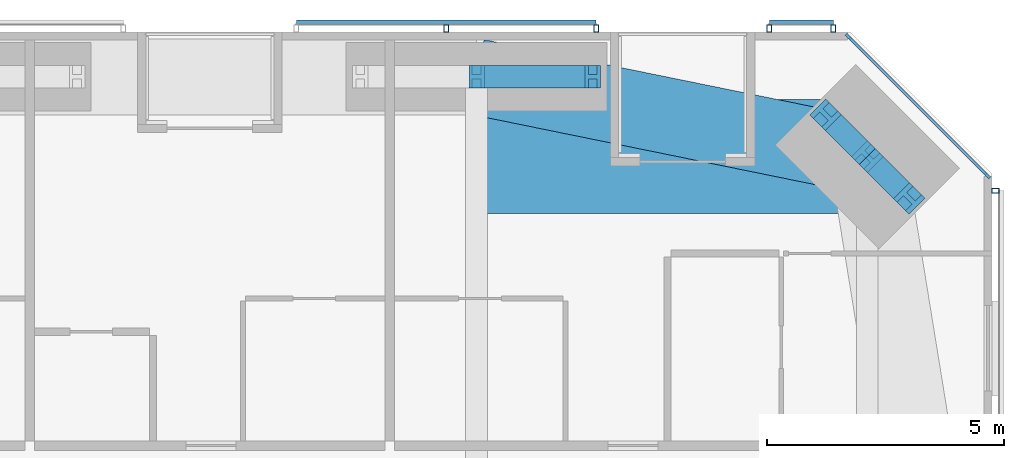
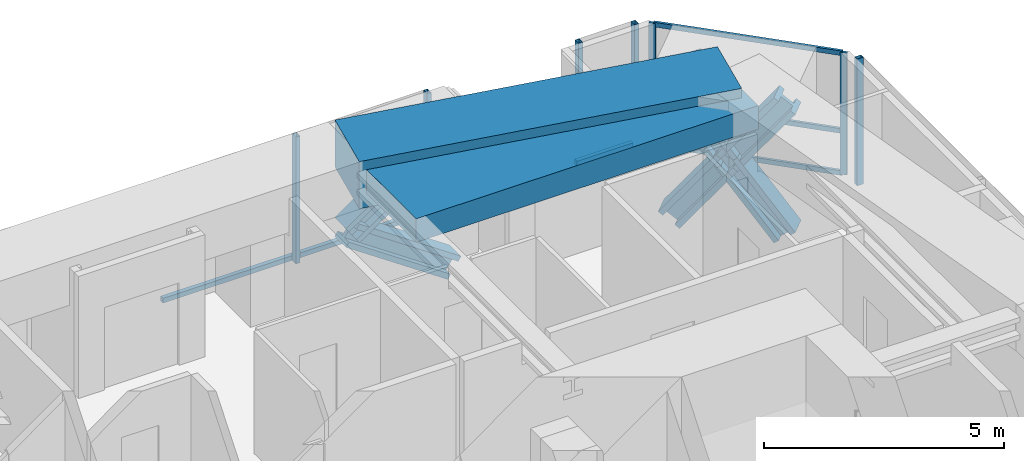
# One storey, part 15 of 25: 18 members, 2 beams, 4 elements without a shape of their own.
"""IFC4 building model written with IfcOpenShell, lengths in metres."""

from ifc_helpers import new_model, si_unit, direction, frame, origin, origin_2d, place, context, subcontext, project, spatial, rectangle, hollow_rectangle, i_section, extrude, material, material_profile, profile_set, type_object, element, aggregate, save


model = new_model("IFC4")

# Units and contexts
model_context = context("Model", 3, precision=1e-05, world=origin(), true_north=direction((0.0, 1.0)))
body_context = subcontext(model_context, "Body", "Model", "MODEL_VIEW")
ifc_project = project(units=[si_unit("LENGTHUNIT", "METRE"), si_unit("AREAUNIT", "SQUARE_METRE"), si_unit("VOLUMEUNIT", "CUBIC_METRE"), si_unit("PLANEANGLEUNIT", "RADIAN"), si_unit("MASSUNIT", "GRAM", prefix="KILO")], contexts=[model_context])

# Site, building, storey
site_placement = place(None, origin())
site = spatial("IfcSite", under=ifc_project, at=site_placement, CompositionType="ELEMENT")
building_placement = place(site_placement, origin())
building = spatial("IfcBuilding", under=site, at=building_placement, Name="Jalousie Tower", CompositionType="ELEMENT")
storey_placement = place(building_placement, frame((0.0, 0.0, 94.800048828125)))
storey = spatial("IfcBuildingStorey", under=building, at=storey_placement, Name="L25", CompositionType="ELEMENT", Elevation=94.800048828125)

# Curtain wall, members
ifc_material_1 = material(Name="Aluminium curtain wall", Category="aluminium")
curtain_wall_type_1 = type_object("IfcCurtainWallType", Name="CORNER WINDOW WALL", PredefinedType="USERDEFINED", material=ifc_material_1)
curtain_wall_1_placement = place(storey_placement, origin())
curtain_wall_1 = element("IfcCurtainWall", 1, at=curtain_wall_1_placement, inside=storey, type_object=curtain_wall_type_1, Name="Corner Window Wall L25 4", ObjectType="CORNER WINDOW WALL", PredefinedType="USERDEFINED")
ifc_material_2 = material(Name="Aluminium mullion", Category="aluminium")
ifc_material_profile_1 = material_profile(ifc_material_2, rectangle(XDim=0.06005859375, YDim=0.14990234375, at=origin_2d()), Name="MULLION 60x150")
ifc_profile_set_1 = profile_set([ifc_material_profile_1], Name="Aluminium mullion")
member_type_1 = type_object("IfcMemberType", Name="CORNER WINDOW WALL MULLION", PredefinedType="MULLION", material=ifc_profile_set_1)
member_1_placement = place(storey_placement, frame((49.391357421875, 34.969970703125, 0.0), z_axis=(0.0, 0.0, 1.0), x_axis=(-0.707106781187, -0.707106781187, 0.0)))
member_1 = element("IfcMember", 2, at=member_1_placement, type_object=member_type_1, Name="CW-C mullion 1", PredefinedType="MULLION", context=body_context, shape_type="SweptSolid", body=[
    extrude(rectangle(XDim=0.06005859375, YDim=0.14990234375, at=origin_2d()), origin(), (0.0, 0.0, 1.0), 3.10986328125),
])
member_2_placement = place(storey_placement, frame((46.469970703125, 37.891357421875, 0.0), z_axis=(0.0, 0.0, 1.0), x_axis=(-0.707106781187, -0.707106781187, 0.0)))
member_2 = element("IfcMember", 3, at=member_2_placement, type_object=member_type_1, Name="CW-C mullion 2", PredefinedType="MULLION", context=body_context, shape_type="SweptSolid", body=[
    extrude(rectangle(XDim=0.06005859375, YDim=0.14990234375, at=origin_2d()), origin(), (0.0, 0.0, 1.0), 3.10986328125),
])
ifc_material_3 = material(Name="Aluminium transom", Category="aluminium")
ifc_material_profile_2 = material_profile(ifc_material_3, rectangle(XDim=0.06005859375, YDim=0.1201171875, at=origin_2d()), Name="TRANSOM 60x120")
ifc_profile_set_2 = profile_set([ifc_material_profile_2], Name="Aluminium transom")
member_type_2 = type_object("IfcMemberType", Name="CORNER WINDOW WALL TRANSOM", PredefinedType="USERDEFINED", material=ifc_profile_set_2)
member_3_placement = place(storey_placement, frame((49.3701171875, 34.9912109375, 0.030029296875), z_axis=(-0.707106781187, 0.707106781187, 0.0), x_axis=(-0.707106781187, -0.707106781187, 0.0)))
member_3 = element("IfcMember", 4, at=member_3_placement, type_object=member_type_2, Name="CW-C transom 1.1", ObjectType="TRANSOM", PredefinedType="USERDEFINED", context=body_context, shape_type="SweptSolid", body=[
    extrude(rectangle(XDim=0.06005859375, YDim=0.1201171875, at=origin_2d()), origin(), (0.0, 0.0, 1.0), 4.0712890625),
])
member_4_placement = place(storey_placement, frame((49.3701171875, 34.9912109375, 1.099853515625), z_axis=(-0.707106781187, 0.707106781187, 0.0), x_axis=(-0.707106781187, -0.707106781187, 0.0)))
member_4 = element("IfcMember", 5, at=member_4_placement, type_object=member_type_2, Name="CW-C transom 1.2", ObjectType="TRANSOM", PredefinedType="USERDEFINED", context=body_context, shape_type="SweptSolid", body=[
    extrude(rectangle(XDim=0.06005859375, YDim=0.1201171875, at=origin_2d()), origin(), (0.0, 0.0, 1.0), 4.0712890625),
])
member_5_placement = place(storey_placement, frame((49.3701171875, 34.9912109375, 3.079833984375), z_axis=(-0.707106781187, 0.707106781187, 0.0), x_axis=(-0.707106781187, -0.707106781187, 0.0)))
member_5 = element("IfcMember", 6, at=member_5_placement, type_object=member_type_2, Name="CW-C transom 1.3", ObjectType="TRANSOM", PredefinedType="USERDEFINED", context=body_context, shape_type="SweptSolid", body=[
    extrude(rectangle(XDim=0.06005859375, YDim=0.1201171875, at=origin_2d()), origin(), (0.0, 0.0, 1.0), 4.0712890625),
])
aggregate(curtain_wall_1, [member_1, member_2, member_3, member_4, member_5])

# Members
ifc_material_4 = material(Name="Steel ASTM A992 Grade 50", Category="steel")
ifc_material_profile_3 = material_profile(ifc_material_4, i_section(OverallWidth=0.472412109375, OverallDepth=0.5791015625, WebThickness=0.094970703125, FlangeThickness=0.1298828125, at=origin_2d()), Name="W14X808")
ifc_profile_set_3 = profile_set([ifc_material_profile_3], Name="Steel ASTM A992 Grade 50")
member_type_3 = type_object("IfcMemberType", Name="PERIMETER BRACE W14X808", PredefinedType="BRACE", material=ifc_profile_set_3)
for number, where, z_axis, x_axis, name in (
    (7, (47.75244140625, 34.484619140625, -0.60009765625), (-0.422851718556, 0.422968528423, 0.801432497518), (-0.707204427637, -0.70700912125, 0.0), "Perimeter brace 08 L25 part 1"),
    (8, (46.86865234375, 35.36865234375, 1.074951171875), (-0.422968528423, 0.422851718556, 0.801432497518), (-0.70700912125, -0.707204427637, 0.0), "Perimeter brace 08 L25 part 2"),
    (9, (45.984619140625, 36.25244140625, -0.60009765625), (0.422968528423, -0.422851718556, 0.801432497518), (0.70700912125, 0.707204427637, 0.0), "Perimeter brace 08 L25 part 3"),
    (10, (46.86865234375, 35.36865234375, 1.074951171875), (0.422851718556, -0.422968528423, 0.801432497518), (0.707204427637, 0.70700912125, 0.0), "Perimeter brace 08 L25 part 4"),
):
    element("IfcMember", number, at=place(storey_placement, frame(where, z_axis=z_axis, x_axis=x_axis)), inside=storey, type_object=member_type_3, Name=name, PredefinedType="BRACE", context=body_context, shape_type="SweptSolid", body=[
        extrude(i_section(OverallWidth=0.472412109375, OverallDepth=0.5791015625, WebThickness=0.094970703125, FlangeThickness=0.1298828125, at=origin_2d()), origin(), (0.0, 0.0, 1.0), 2.090087890625),
    ])
for number, where, z_axis, x_axis, name in (
    (11, (38.625, 37.050048828125, 1.074951171875), (0.825500916831, 0.0, 0.564400776321), (0.0, 1.0, 0.0), "Perimeter brace 09 L25 part 2"),
    (12, (41.074951171875, 37.050048828125, -0.60009765625), (-0.825500916831, 0.0, 0.564400776321), (0.0, -1.0, 0.0), "Perimeter brace 09 L25 part 3"),
):
    element("IfcMember", number, at=place(storey_placement, frame(where, z_axis=z_axis, x_axis=x_axis)), inside=storey, type_object=member_type_3, Name=name, PredefinedType="BRACE", context=body_context, shape_type="SweptSolid", body=[
        extrude(i_section(OverallWidth=0.472412109375, OverallDepth=0.5791015625, WebThickness=0.094970703125, FlangeThickness=0.1298828125, at=origin_2d()), origin(), (0.0, 0.0, 1.0), 2.9677734375),
    ])

# Beams
ifc_material_5 = material(Name="Concrete f'c 40 MPa", Category="concrete")
ifc_material_profile_4 = material_profile(ifc_material_5, rectangle(XDim=1.60009765625, YDim=1.199951171875, at=origin_2d()), Name="RC 1600x1200")
ifc_profile_set_4 = profile_set([ifc_material_profile_4], Name="Concrete f'c 40 MPa")
beam_type_1 = type_object("IfcBeamType", Name="RC BEAM 1600x1200", PredefinedType="BEAM", material=ifc_profile_set_4)
beam_1_placement = place(storey_placement, frame((46.86865234375, 35.36865234375, 2.75), z_axis=(-0.97982690954, 0.199848010602, 0.0), x_axis=(-0.199848010602, -0.97982690954, 0.0)))
element("IfcBeam", 13, at=beam_1_placement, inside=storey, type_object=beam_type_1, Name="Edge band beam 08-09 under L26", PredefinedType="BEAM", context=body_context, shape_type="SweptSolid", body=[
    extrude(rectangle(XDim=1.60009765625, YDim=1.199951171875, at=origin_2d()), origin(), (0.0, 0.0, 1.0), 8.413330078125),
])
ifc_material_6 = material(Name="Concrete f'c 40 MPa", Category="concrete")
ifc_material_profile_5 = material_profile(ifc_material_6, rectangle(XDim=2.39990234375, YDim=0.60009765625, at=origin_2d()), Name="RC 2400x600")
ifc_profile_set_5 = profile_set([ifc_material_profile_5], Name="Concrete f'c 40 MPa")
beam_type_2 = type_object("IfcBeamType", Name="RC BEAM 2400x600", PredefinedType="BEAM", material=ifc_profile_set_5)
beam_2_placement = place(storey_placement, frame((46.86865234375, 35.36865234375, 2.81005859375), z_axis=(-1.0, 0.0, 0.0), x_axis=(0.0, -1.0, 0.0)))
element("IfcBeam", 14, at=beam_2_placement, inside=storey, type_object=beam_type_2, Name="Floor band beam under L26", PredefinedType="BEAM", context=body_context, shape_type="SweptSolid", body=[
    extrude(rectangle(XDim=2.39990234375, YDim=0.60009765625, at=origin_2d()), origin(), (0.0, 0.0, 1.0), 8.24365234375),
])

# Curtain wall, member
ifc_material_7 = material(Name="Perforated aluminium sheet", Category="aluminium")
curtain_wall_type_2 = type_object("IfcCurtainWallType", Name="SOLAR SCREEN SS-1", PredefinedType="USERDEFINED", material=ifc_material_7)
curtain_wall_2_placement = place(storey_placement, origin())
curtain_wall_2 = element("IfcCurtainWall", 15, at=curtain_wall_2_placement, inside=storey, type_object=curtain_wall_type_2, Name="Solar screen L25", ObjectType="SOLAR SCREEN SS-1", PredefinedType="USERDEFINED")
ifc_material_8 = material(Name="Steel ASTM A500 Grade C", Category="steel")
ifc_material_profile_6 = material_profile(ifc_material_8, hollow_rectangle(XDim=0.1015625, YDim=0.15234375, WallThickness=0.00634765625, at=origin_2d()), Name="HSS6X4X1/4")
ifc_profile_set_6 = profile_set([ifc_material_profile_6], Name="Steel ASTM A500 Grade C")
member_type_4 = type_object("IfcMemberType", Name="SOLAR SCREEN SS-1 MULLION", PredefinedType="MULLION", material=ifc_profile_set_6)
member_6_placement = place(storey_placement, frame((49.5712890625, 34.648681640625, -0.1201171875), z_axis=(0.0, 0.0, 1.0), x_axis=(0.0, 1.0, 0.0)))
member_6 = element("IfcMember", 16, at=member_6_placement, type_object=member_type_4, Name="SS1 post 4", PredefinedType="MULLION", context=body_context, shape_type="SweptSolid", body=[
    extrude(hollow_rectangle(XDim=0.1015625, YDim=0.15234375, WallThickness=0.00634765625, at=origin_2d()), origin(), (0.0, 0.0, 1.0), 3.22998046875),
])
aggregate(curtain_wall_2, [member_6])

# Curtain wall, members
curtain_wall_3_placement = place(storey_placement, origin())
curtain_wall_3 = element("IfcCurtainWall", 17, at=curtain_wall_3_placement, inside=storey, type_object=curtain_wall_type_2, Name="Solar screen L25", ObjectType="SOLAR SCREEN SS-1", PredefinedType="USERDEFINED")
member_7_placement = place(storey_placement, frame((46.148681640625, 38.0712890625, -0.1201171875), z_axis=(0.0, 0.0, 1.0), x_axis=(-1.0, 0.0, 0.0)))
member_7 = element("IfcMember", 18, at=member_7_placement, type_object=member_type_4, Name="SS1 post 1", PredefinedType="MULLION", context=body_context, shape_type="SweptSolid", body=[
    extrude(hollow_rectangle(XDim=0.1015625, YDim=0.15234375, WallThickness=0.00634765625, at=origin_2d()), origin(), (0.0, 0.0, 1.0), 3.22998046875),
])
member_8_placement = place(storey_placement, frame((44.798583984375, 38.0712890625, -0.1201171875), z_axis=(0.0, 0.0, 1.0), x_axis=(-1.0, 0.0, 0.0)))
member_8 = element("IfcMember", 19, at=member_8_placement, type_object=member_type_4, Name="SS1 post 2", PredefinedType="MULLION", context=body_context, shape_type="SweptSolid", body=[
    extrude(hollow_rectangle(XDim=0.1015625, YDim=0.15234375, WallThickness=0.00634765625, at=origin_2d()), origin(), (0.0, 0.0, 1.0), 3.22998046875),
])

curtain_wall_4_placement = place(storey_placement, origin())
curtain_wall_4 = element("IfcCurtainWall", 20, at=curtain_wall_4_placement, inside=storey, type_object=curtain_wall_type_2, Name="Solar screen L25", ObjectType="SOLAR SCREEN SS-1", PredefinedType="USERDEFINED")
member_9_placement = place(storey_placement, frame((41.148681640625, 38.0712890625, -0.1201171875), z_axis=(0.0, 0.0, 1.0), x_axis=(-1.0, 0.0, 0.0)))
member_9 = element("IfcMember", 21, at=member_9_placement, type_object=member_type_4, Name="SS1 post 1", PredefinedType="MULLION", context=body_context, shape_type="SweptSolid", body=[
    extrude(hollow_rectangle(XDim=0.1015625, YDim=0.15234375, WallThickness=0.00634765625, at=origin_2d()), origin(), (0.0, 0.0, 1.0), 3.22998046875),
])
member_10_placement = place(storey_placement, frame((37.98681640625, 38.0712890625, -0.1201171875), z_axis=(0.0, 0.0, 1.0), x_axis=(-1.0, 0.0, 0.0)))
member_10 = element("IfcMember", 22, at=member_10_placement, type_object=member_type_4, Name="SS1 post 2", PredefinedType="MULLION", context=body_context, shape_type="SweptSolid", body=[
    extrude(hollow_rectangle(XDim=0.1015625, YDim=0.15234375, WallThickness=0.00634765625, at=origin_2d()), origin(), (0.0, 0.0, 1.0), 3.22998046875),
])

# Member
ifc_material_9 = material(Name="Extruded aluminium screen rail", Category="aluminium")
ifc_material_profile_7 = material_profile(ifc_material_9, rectangle(XDim=0.1015625, YDim=0.1201171875, at=origin_2d()), Name="RAIL 102x120")
ifc_profile_set_7 = profile_set([ifc_material_profile_7], Name="Extruded aluminium screen rail")
member_type_5 = type_object("IfcMemberType", Name="SOLAR SCREEN SS-1 TRANSOM", PredefinedType="USERDEFINED", material=ifc_profile_set_7)
member_11_placement = place(storey_placement, frame((46.148681640625, 38.1982421875, -0.06005859375), z_axis=(-1.0, 0.0, 0.0), x_axis=(0.0, -1.0, 0.0)))
member_11 = element("IfcMember", 23, at=member_11_placement, type_object=member_type_5, Name="SS1 rail", ObjectType="TRANSOM", PredefinedType="USERDEFINED", context=body_context, shape_type="SweptSolid", body=[
    extrude(rectangle(XDim=0.1015625, YDim=0.1201171875, at=origin_2d()), origin(), (0.0, 0.0, 1.0), 1.35009765625),
])

aggregate(curtain_wall_3, [member_7, member_8, member_11])

member_12_placement = place(storey_placement, frame((41.148681640625, 38.1982421875, -0.06005859375), z_axis=(-1.0, 0.0, 0.0), x_axis=(0.0, -1.0, 0.0)))
member_12 = element("IfcMember", 24, at=member_12_placement, type_object=member_type_5, Name="SS1 rail", ObjectType="TRANSOM", PredefinedType="USERDEFINED", context=body_context, shape_type="SweptSolid", body=[
    extrude(rectangle(XDim=0.1015625, YDim=0.1201171875, at=origin_2d()), origin(), (0.0, 0.0, 1.0), 6.32373046875),
])

aggregate(curtain_wall_4, [member_9, member_10, member_12])

save(model, "model.ifc")
